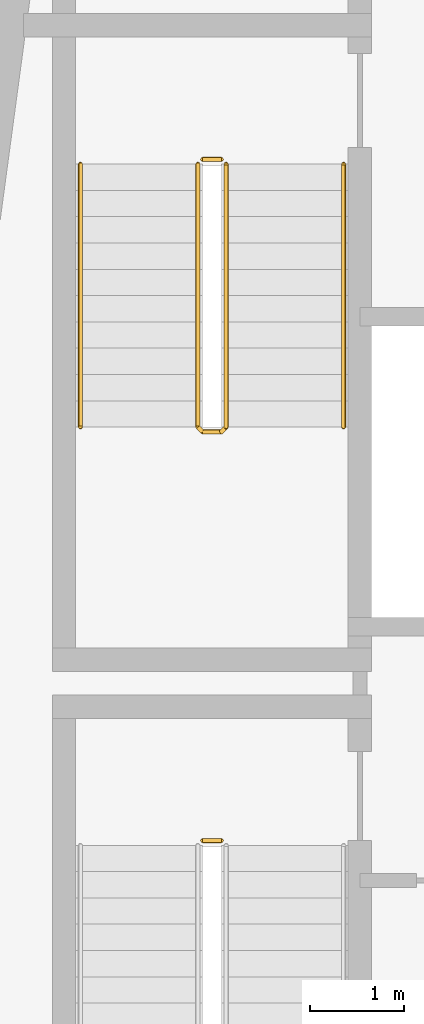
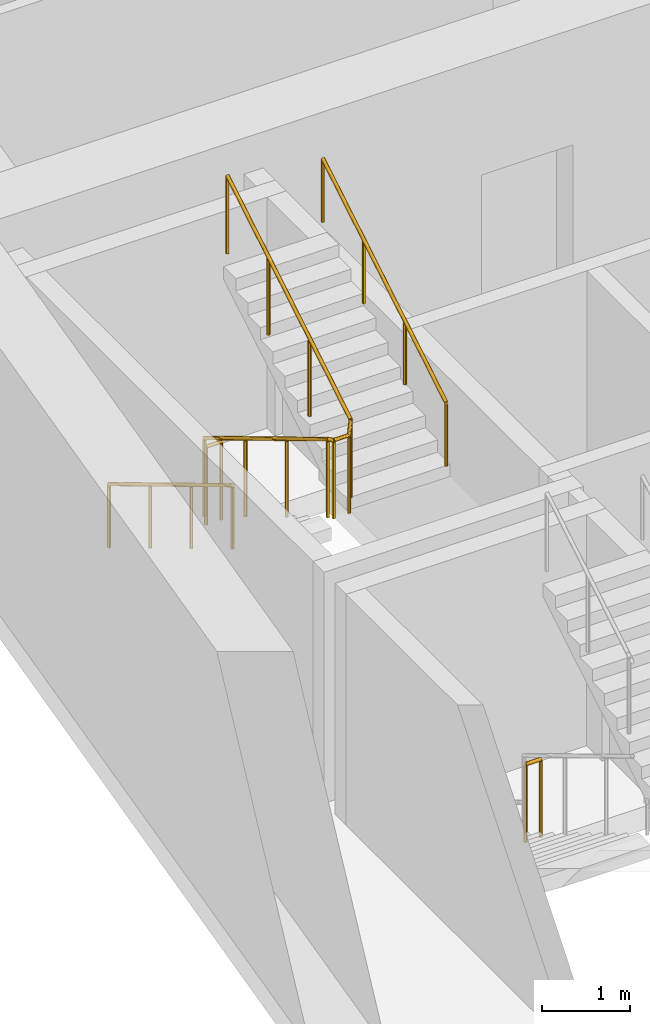
# One storey, part 10 of 13: 5 railings.
"""IFC4 building model written with IfcOpenShell, lengths in metres."""

from ifc_helpers import new_model, si_unit, direction, frame, origin, origin_2d, place, context, subcontext, project, spatial, circle, extrude, material, type_object, element, save


model = new_model("IFC4")

# Units and contexts
model_context = context("Model", 3, precision=1e-05, world=origin(), true_north=direction((0.0, 1.0)))
body_context = subcontext(model_context, "Body", "Model", "MODEL_VIEW")
ifc_project = project(units=[si_unit("LENGTHUNIT", "METRE"), si_unit("AREAUNIT", "SQUARE_METRE"), si_unit("VOLUMEUNIT", "CUBIC_METRE"), si_unit("PLANEANGLEUNIT", "RADIAN"), si_unit("MASSUNIT", "GRAM", prefix="KILO")], contexts=[model_context])

# Site, building, storey
site_placement = place(None, origin())
site = spatial("IfcSite", under=ifc_project, at=site_placement, CompositionType="ELEMENT")
building_placement = place(site_placement, origin())
building = spatial("IfcBuilding", under=site, at=building_placement, Name="Candeia Pilgrim Tower and Theatre", CompositionType="ELEMENT")
storey_placement = place(building_placement, frame((0.0, 0.0, 242.89990234375)))
storey = spatial("IfcBuildingStorey", under=building, at=storey_placement, Name="L59", CompositionType="ELEMENT", Elevation=242.89990234375)

# Railings
ifc_material_1 = material(Name="Stainless steel balustrade", Category="steel")
railing_type_1 = type_object("IfcRailingType", Name="RL-GUARD-1100", PredefinedType="GUARDRAIL", material=ifc_material_1)
railing_1_placement = place(storey_placement, frame((91.152099609375, 122.52490234375, 0.0)))
element("IfcRailing", 1, at=railing_1_placement, inside=storey, type_object=railing_type_1, Name="L59 ST1 stair guard 2", PredefinedType="GUARDRAIL", context=body_context, shape_type="SweptSolid", body=[
    extrude(circle(Radius=0.02392578125, at=origin_2d()), frame((0.0, 0.0, 1.076171875), z_axis=(1.0, 0.0, 0.0), x_axis=(0.0, 1.0, 0.0)), (0.0, 0.0, 1.0), 0.199951171875),
    extrude(circle(Radius=0.02099609375, at=origin_2d()), origin(), (0.0, 0.0, 1.0), 1.052001953125),
    extrude(circle(Radius=0.02099609375, at=origin_2d()), frame((0.199951171875, 0.0, 0.0)), (0.0, 0.0, 1.0), 1.052001953125),
])
railing_2_placement = place(storey_placement, frame((91.10205078125, 129.72509765625, 0.168212890625)))
element("IfcRailing", 2, at=railing_2_placement, inside=storey, type_object=railing_type_1, Name="L59 ST2 stair guard 1", PredefinedType="GUARDRAIL", context=body_context, shape_type="SweptSolid", body=[
    extrude(circle(Radius=0.02392578125, at=origin_2d()), frame((0.0, 0.0, 1.076171875), z_axis=(0.0, -0.857242210791, 0.514913383045), x_axis=(1.0, 0.0, 0.0)), (0.0, 0.0, 1.0), 3.266357421875),
    extrude(circle(Radius=0.02392578125, at=origin_2d()), frame((0.0, -2.800048828125, 2.7578125), z_axis=(0.707106781187, -0.707106781187, 0.0), x_axis=(0.707106781187, 0.707106781187, 0.0)), (0.0, 0.0, 1.0), 0.07080078125),
    extrude(circle(Radius=0.02392578125, at=origin_2d()), frame((0.050048828125, -2.85009765625, 2.7578125), z_axis=(1.0, 0.0, 0.0), x_axis=(0.0, 1.0, 0.0)), (0.0, 0.0, 1.0), 0.199951171875),
    extrude(circle(Radius=0.02392578125, at=origin_2d()), frame((0.25, -2.85009765625, 2.7578125), z_axis=(0.274243871929, 0.274243871929, 0.92172696468), x_axis=(-0.707106781187, 0.707106781187, 0.0)), (0.0, 0.0, 1.0), 0.1826171875),
    extrude(circle(Radius=0.02392578125, at=origin_2d()), frame((0.300048828125, -2.800048828125, 2.92626953125), z_axis=(0.0, 0.857242210791, 0.514913383045), x_axis=(-1.0, 0.0, 0.0)), (0.0, 0.0, 1.0), 3.266357421875),
    extrude(circle(Radius=0.02099609375, at=origin_2d()), origin(), (0.0, 0.0, 1.0), 1.052001953125),
    extrude(circle(Radius=0.02099609375, at=origin_2d()), frame((0.0, -0.933349609375, 0.560546875)), (0.0, 0.0, 1.0), 1.052001953125),
    extrude(circle(Radius=0.02099609375, at=origin_2d()), frame((0.0, -1.86669921875, 1.121337890625)), (0.0, 0.0, 1.0), 1.052001953125),
    extrude(circle(Radius=0.02099609375, at=origin_2d()), frame((0.0, -2.800048828125, 1.681884765625)), (0.0, 0.0, 1.0), 1.052001953125),
    extrude(circle(Radius=0.02099609375, at=origin_2d()), frame((0.050048828125, -2.85009765625, 1.681884765625)), (0.0, 0.0, 1.0), 1.052001953125),
    extrude(circle(Radius=0.02099609375, at=origin_2d()), frame((0.25, -2.85009765625, 1.681884765625)), (0.0, 0.0, 1.0), 1.052001953125),
    extrude(circle(Radius=0.02099609375, at=origin_2d()), frame((0.300048828125, -2.800048828125, 1.85009765625)), (0.0, 0.0, 1.0), 1.052001953125),
    extrude(circle(Radius=0.02099609375, at=origin_2d()), frame((0.300048828125, -1.86669921875, 2.41064453125)), (0.0, 0.0, 1.0), 1.052001953125),
    extrude(circle(Radius=0.02099609375, at=origin_2d()), frame((0.300048828125, -0.933349609375, 2.971435546875)), (0.0, 0.0, 1.0), 1.052001953125),
    extrude(circle(Radius=0.02099609375, at=origin_2d()), frame((0.300048828125, 0.0, 3.531982421875)), (0.0, 0.0, 1.0), 1.052001953125),
])
railing_3_placement = place(storey_placement, frame((91.152099609375, 129.77490234375, 0.0)))
element("IfcRailing", 3, at=railing_3_placement, inside=storey, type_object=railing_type_1, Name="L59 ST2 stair guard 2", PredefinedType="GUARDRAIL", context=body_context, shape_type="SweptSolid", body=[
    extrude(circle(Radius=0.02392578125, at=origin_2d()), frame((0.0, 0.0, 1.076171875), z_axis=(1.0, 0.0, 0.0), x_axis=(0.0, 1.0, 0.0)), (0.0, 0.0, 1.0), 0.199951171875),
    extrude(circle(Radius=0.02099609375, at=origin_2d()), origin(), (0.0, 0.0, 1.0), 1.052001953125),
    extrude(circle(Radius=0.02099609375, at=origin_2d()), frame((0.199951171875, 0.0, 0.0)), (0.0, 0.0, 1.0), 1.052001953125),
])
ifc_material_2 = material(Name="Stainless steel handrail", Category="steel")
railing_type_2 = type_object("IfcRailingType", Name="RL-HANDRAIL-900", PredefinedType="HANDRAIL", material=ifc_material_2)
railing_4_placement = place(storey_placement, frame((89.85205078125, 129.72509765625, 0.168212890625)))
element("IfcRailing", 4, at=railing_4_placement, inside=storey, type_object=railing_type_2, Name="L59 ST2 stair handrail 1", PredefinedType="HANDRAIL", context=body_context, shape_type="SweptSolid", body=[
    extrude(circle(Radius=0.02392578125, at=origin_2d()), frame((0.0, 0.0, 0.8759765625), z_axis=(0.0, -0.857242210791, 0.514913383045), x_axis=(1.0, 0.0, 0.0)), (0.0, 0.0, 1.0), 3.266357421875),
    extrude(circle(Radius=0.02099609375, at=origin_2d()), origin(), (0.0, 0.0, 1.0), 0.851806640625),
    extrude(circle(Radius=0.02099609375, at=origin_2d()), frame((0.0, -0.933349609375, 0.560546875)), (0.0, 0.0, 1.0), 0.851806640625),
    extrude(circle(Radius=0.02099609375, at=origin_2d()), frame((0.0, -1.86669921875, 1.121337890625)), (0.0, 0.0, 1.0), 0.851806640625),
    extrude(circle(Radius=0.02099609375, at=origin_2d()), frame((0.0, -2.800048828125, 1.681884765625)), (0.0, 0.0, 1.0), 0.851806640625),
])
railing_5_placement = place(storey_placement, frame((92.652099609375, 126.925048828125, 2.018310546875)))
element("IfcRailing", 5, at=railing_5_placement, inside=storey, type_object=railing_type_2, Name="L59 ST2 stair handrail 2", PredefinedType="HANDRAIL", context=body_context, shape_type="SweptSolid", body=[
    extrude(circle(Radius=0.02392578125, at=origin_2d()), frame((0.0, 0.0, 0.8759765625), z_axis=(0.0, 0.857242210791, 0.514913383045), x_axis=(-1.0, 0.0, 0.0)), (0.0, 0.0, 1.0), 3.266357421875),
    extrude(circle(Radius=0.02099609375, at=origin_2d()), origin(), (0.0, 0.0, 1.0), 0.851806640625),
    extrude(circle(Radius=0.02099609375, at=origin_2d()), frame((0.0, 0.933349609375, 0.560546875)), (0.0, 0.0, 1.0), 0.851806640625),
    extrude(circle(Radius=0.02099609375, at=origin_2d()), frame((0.0, 1.86669921875, 1.121337890625)), (0.0, 0.0, 1.0), 0.851806640625),
    extrude(circle(Radius=0.02099609375, at=origin_2d()), frame((0.0, 2.800048828125, 1.681884765625)), (0.0, 0.0, 1.0), 0.851806640625),
])

save(model, "model.ifc")
